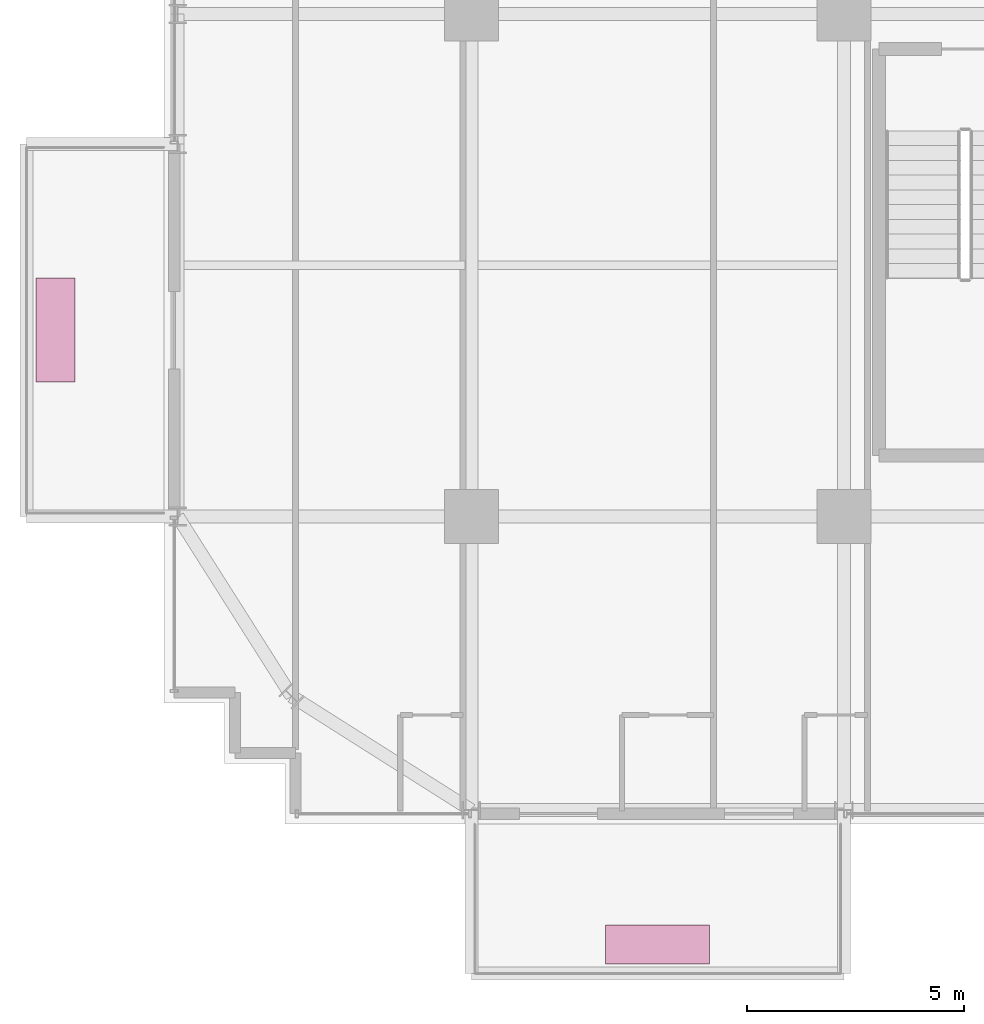
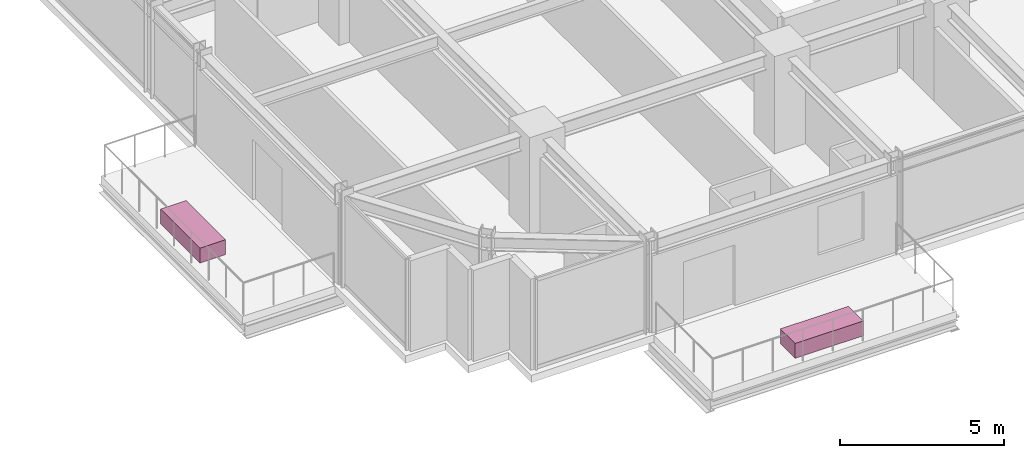
# One storey, part 32 of 32: 2 furnishings.
"""IFC4 building model written with IfcOpenShell, lengths in metres."""

from ifc_helpers import new_model, si_unit, direction, frame, origin, origin_2d, place, context, subcontext, project, spatial, rectangle, extrude, source, transform, mapped, material, type_object, element, save


model = new_model("IFC4")

# Units and contexts
model_context = context("Model", 3, precision=1e-05, world=origin(), true_north=direction((0.0, 1.0)))
body_context = subcontext(model_context, "Body", "Model", "MODEL_VIEW")
ifc_project = project(units=[si_unit("LENGTHUNIT", "METRE"), si_unit("AREAUNIT", "SQUARE_METRE"), si_unit("VOLUMEUNIT", "CUBIC_METRE"), si_unit("PLANEANGLEUNIT", "RADIAN"), si_unit("MASSUNIT", "GRAM", prefix="KILO")], contexts=[model_context])

# Site, building, storey
site_placement = place(None, origin())
site = spatial("IfcSite", under=ifc_project, at=site_placement, CompositionType="ELEMENT")
building_placement = place(site_placement, origin())
building = spatial("IfcBuilding", under=site, at=building_placement, Name="Nahalor Promenade Grand Hotel", CompositionType="ELEMENT")
storey_placement = place(building_placement, frame((0.0, 0.0, 124.800048828125)))
storey = spatial("IfcBuildingStorey", under=building, at=storey_placement, Name="L31", CompositionType="ELEMENT", Elevation=124.800048828125)

# Furnishings
ifc_material = material(Name="Vegetated Volcanic-Lapilli Tree Planter", Category="earth")
furnishing_element_type = type_object("IfcFurnishingElementType", Name="Planter-VerticalForest-Box", material=ifc_material)
shared_shape = source(origin(), body_context, "Body", "SweptSolid", [
    extrude(rectangle(XDim=2.39990234375, YDim=0.89990234375, at=origin_2d()), origin(), (0.0, 0.0, 1.0), 0.550048828125),
])
for number, where, z_axis, x_axis, name in (
    (1, (-12.699951171875, -26.8798828125, 0.0), (0.0, 0.0, 1.0), (1.0, 0.0, 0.0), "L31 Balcony Structural Tree Planter 1"),
    (2, (-26.60009765625, -12.699951171875, 0.0), (0.0, 0.0, 1.0), (0.0, 1.0, 0.0), "L31 Balcony Structural Tree Planter 2"),
):
    element("IfcFurnishingElement", number, at=place(storey_placement, frame(where, z_axis=z_axis, x_axis=x_axis)), inside=storey, type_object=furnishing_element_type, Name=name, ObjectType="PLANTER", context=body_context, shape_type="MappedRepresentation", body=[
        mapped(shared_shape, transform((0.0, 0.0, 0.0), scale=1.0)),
    ])

save(model, "model.ifc")
